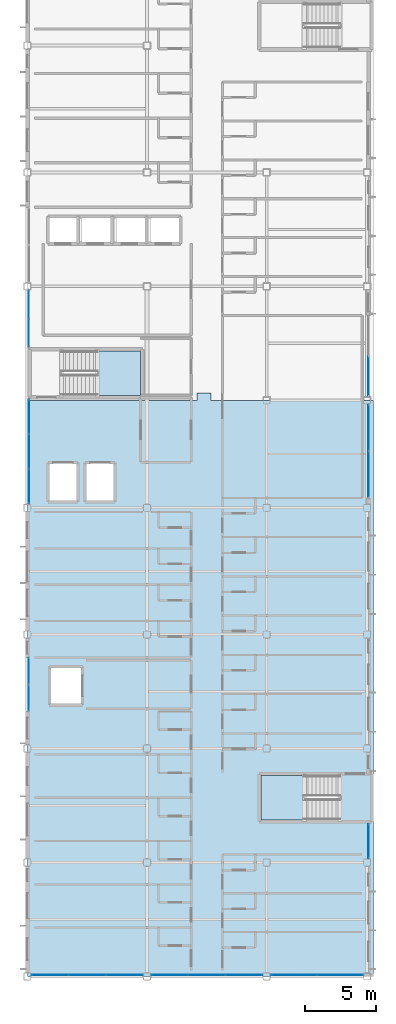
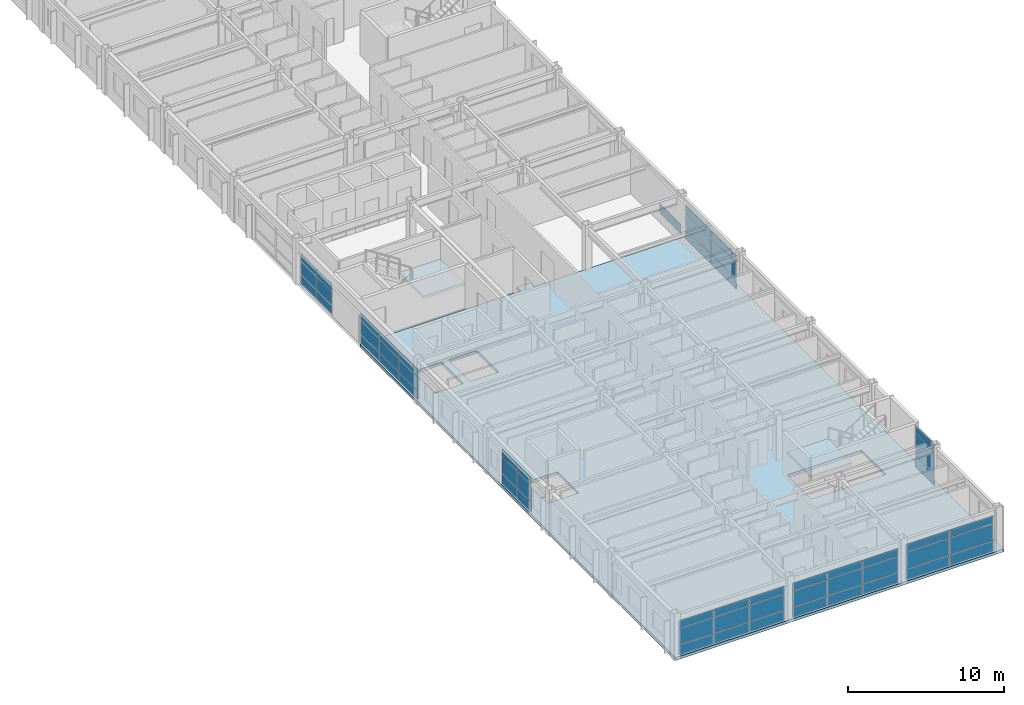
# One storey, part 21 of 35: 55 plates, 3 slabs, 11 elements without a shape of their own.
"""IFC4 building model written with IfcOpenShell, lengths in metres."""

from ifc_helpers import new_model, si_unit, direction, frame, origin, origin_2d, place, context, subcontext, project, spatial, polyline, rectangle, outline, extrude, material, layer, layer_set, type_object, element, aggregate, save


model = new_model("IFC4")

# Units and contexts
model_context = context("Model", 3, precision=1e-05, world=origin(), true_north=direction((0.0, 1.0)))
body_context = subcontext(model_context, "Body", "Model", "MODEL_VIEW")
ifc_project = project(units=[si_unit("LENGTHUNIT", "METRE"), si_unit("AREAUNIT", "SQUARE_METRE"), si_unit("VOLUMEUNIT", "CUBIC_METRE"), si_unit("PLANEANGLEUNIT", "RADIAN"), si_unit("MASSUNIT", "GRAM", prefix="KILO")], contexts=[model_context])

# Site, building, storey
site_placement = place(None, origin())
site = spatial("IfcSite", under=ifc_project, at=site_placement, CompositionType="ELEMENT")
building_placement = place(site_placement, origin())
building = spatial("IfcBuilding", under=site, at=building_placement, Name="Kazehara Bluff Congress Hotel", CompositionType="ELEMENT")
storey_placement = place(building_placement, frame((0.0, 0.0, 35.39990234375)))
storey = spatial("IfcBuildingStorey", under=building, at=storey_placement, Name="L08", CompositionType="ELEMENT", Elevation=35.39990234375)

# Curtain wall, plates
ifc_material_1 = material(Name="Anodised aluminium", Category="aluminium")
ifc_layer_1 = layer(ifc_material_1, 0.159912109375)
ifc_layer_set_1 = layer_set([ifc_layer_1], Name="Anodised aluminium")
curtain_wall_type_1 = type_object("IfcCurtainWallType", Name="TP-CW-185", PredefinedType="NOTDEFINED", material=ifc_layer_set_1)
curtain_wall_1_placement = place(storey_placement, origin())
curtain_wall_1 = element("IfcCurtainWall", 1, at=curtain_wall_1_placement, inside=storey, type_object=curtain_wall_type_1, Name="L08 curtain wall CW-185 CW-ENC-V5-L08-14790-810", PredefinedType="NOTDEFINED")
ifc_material_2 = material(Name="Insulated low-E double glazing", Category="glass")
ifc_layer_2 = layer(ifc_material_2, 0.028076171875)
ifc_layer_set_2 = layer_set([ifc_layer_2], Name="Insulated low-E double glazing")
plate_type_1 = type_object("IfcPlateType", Name="TP-CWP-01", PredefinedType="CURTAIN_PANEL", material=ifc_layer_set_2)
plate_1_placement = place(storey_placement, frame((150.51708984375, 8.10009765625, 0.065185546875), z_axis=(0.0, 0.0, 1.0), x_axis=(-1.0, 0.0, 0.0)))
plate_1 = element("IfcPlate", 2, at=plate_1_placement, type_object=plate_type_1, Name="CW-185 panel 1.1", PredefinedType="CURTAIN_PANEL", context=body_context, shape_type="SweptSolid", body=[
    extrude(rectangle(XDim=2.535888671875, YDim=0.028076171875, at=origin_2d()), origin(), (0.0, 0.0, 1.0), 0.7275390625),
])
plate_2_placement = place(storey_placement, frame((150.51708984375, 8.10009765625, 0.857421875), z_axis=(0.0, 0.0, 1.0), x_axis=(-1.0, 0.0, 0.0)))
plate_2 = element("IfcPlate", 3, at=plate_2_placement, type_object=plate_type_1, Name="CW-185 panel 1.2", PredefinedType="CURTAIN_PANEL", context=body_context, shape_type="SweptSolid", body=[
    extrude(rectangle(XDim=2.535888671875, YDim=0.028076171875, at=origin_2d()), origin(), (0.0, 0.0, 1.0), 1.215087890625),
])
plate_3_placement = place(storey_placement, frame((150.51708984375, 8.10009765625, 2.1376953125), z_axis=(0.0, 0.0, 1.0), x_axis=(-1.0, 0.0, 0.0)))
plate_3 = element("IfcPlate", 4, at=plate_3_placement, type_object=plate_type_1, Name="CW-185 panel 1.3", PredefinedType="CURTAIN_PANEL", context=body_context, shape_type="SweptSolid", body=[
    extrude(rectangle(XDim=2.535888671875, YDim=0.028076171875, at=origin_2d()), origin(), (0.0, 0.0, 1.0), 0.552490234375),
])
plate_4_placement = place(storey_placement, frame((147.89990234375, 8.10009765625, 0.065185546875), z_axis=(0.0, 0.0, 1.0), x_axis=(-1.0, 0.0, 0.0)))
plate_4 = element("IfcPlate", 5, at=plate_4_placement, type_object=plate_type_1, Name="CW-185 panel 2.1", PredefinedType="CURTAIN_PANEL", context=body_context, shape_type="SweptSolid", body=[
    extrude(rectangle(XDim=2.568359375, YDim=0.028076171875, at=origin_2d()), origin(), (0.0, 0.0, 1.0), 0.7275390625),
])
plate_5_placement = place(storey_placement, frame((147.89990234375, 8.10009765625, 0.857421875), z_axis=(0.0, 0.0, 1.0), x_axis=(-1.0, 0.0, 0.0)))
plate_5 = element("IfcPlate", 6, at=plate_5_placement, type_object=plate_type_1, Name="CW-185 panel 2.2", PredefinedType="CURTAIN_PANEL", context=body_context, shape_type="SweptSolid", body=[
    extrude(rectangle(XDim=2.568359375, YDim=0.028076171875, at=origin_2d()), origin(), (0.0, 0.0, 1.0), 1.215087890625),
])
plate_6_placement = place(storey_placement, frame((147.89990234375, 8.10009765625, 2.1376953125), z_axis=(0.0, 0.0, 1.0), x_axis=(-1.0, 0.0, 0.0)))
plate_6 = element("IfcPlate", 7, at=plate_6_placement, type_object=plate_type_1, Name="CW-185 panel 2.3", PredefinedType="CURTAIN_PANEL", context=body_context, shape_type="SweptSolid", body=[
    extrude(rectangle(XDim=2.568359375, YDim=0.028076171875, at=origin_2d()), origin(), (0.0, 0.0, 1.0), 0.552490234375),
])
plate_7_placement = place(storey_placement, frame((145.282958984375, 8.10009765625, 0.065185546875), z_axis=(0.0, 0.0, 1.0), x_axis=(-1.0, 0.0, 0.0)))
plate_7 = element("IfcPlate", 8, at=plate_7_placement, type_object=plate_type_1, Name="CW-185 panel 3.1", PredefinedType="CURTAIN_PANEL", context=body_context, shape_type="SweptSolid", body=[
    extrude(rectangle(XDim=2.535888671875, YDim=0.028076171875, at=origin_2d()), origin(), (0.0, 0.0, 1.0), 0.7275390625),
])
plate_8_placement = place(storey_placement, frame((145.282958984375, 8.10009765625, 0.857421875), z_axis=(0.0, 0.0, 1.0), x_axis=(-1.0, 0.0, 0.0)))
plate_8 = element("IfcPlate", 9, at=plate_8_placement, type_object=plate_type_1, Name="CW-185 panel 3.2", PredefinedType="CURTAIN_PANEL", context=body_context, shape_type="SweptSolid", body=[
    extrude(rectangle(XDim=2.535888671875, YDim=0.028076171875, at=origin_2d()), origin(), (0.0, 0.0, 1.0), 1.215087890625),
])
plate_9_placement = place(storey_placement, frame((145.282958984375, 8.10009765625, 2.1376953125), z_axis=(0.0, 0.0, 1.0), x_axis=(-1.0, 0.0, 0.0)))
plate_9 = element("IfcPlate", 10, at=plate_9_placement, type_object=plate_type_1, Name="CW-185 panel 3.3", PredefinedType="CURTAIN_PANEL", context=body_context, shape_type="SweptSolid", body=[
    extrude(rectangle(XDim=2.535888671875, YDim=0.028076171875, at=origin_2d()), origin(), (0.0, 0.0, 1.0), 0.552490234375),
])
aggregate(curtain_wall_1, [plate_1, plate_2, plate_3, plate_4, plate_5, plate_6, plate_7, plate_8, plate_9])

curtain_wall_2_placement = place(storey_placement, origin())
curtain_wall_2 = element("IfcCurtainWall", 11, at=curtain_wall_2_placement, inside=storey, type_object=curtain_wall_type_1, Name="L08 curtain wall CW-185 CW-ENC-V5-L08-15630-810", PredefinedType="NOTDEFINED")
plate_10_placement = place(storey_placement, frame((158.9169921875, 8.10009765625, 0.065185546875), z_axis=(0.0, 0.0, 1.0), x_axis=(-1.0, 0.0, 0.0)))
plate_10 = element("IfcPlate", 12, at=plate_10_placement, type_object=plate_type_1, Name="CW-185 panel 1.1", PredefinedType="CURTAIN_PANEL", context=body_context, shape_type="SweptSolid", body=[
    extrude(rectangle(XDim=2.535888671875, YDim=0.028076171875, at=origin_2d()), origin(), (0.0, 0.0, 1.0), 0.7275390625),
])
plate_11_placement = place(storey_placement, frame((158.9169921875, 8.10009765625, 0.857421875), z_axis=(0.0, 0.0, 1.0), x_axis=(-1.0, 0.0, 0.0)))
plate_11 = element("IfcPlate", 13, at=plate_11_placement, type_object=plate_type_1, Name="CW-185 panel 1.2", PredefinedType="CURTAIN_PANEL", context=body_context, shape_type="SweptSolid", body=[
    extrude(rectangle(XDim=2.535888671875, YDim=0.028076171875, at=origin_2d()), origin(), (0.0, 0.0, 1.0), 1.215087890625),
])
plate_12_placement = place(storey_placement, frame((158.9169921875, 8.10009765625, 2.1376953125), z_axis=(0.0, 0.0, 1.0), x_axis=(-1.0, 0.0, 0.0)))
plate_12 = element("IfcPlate", 14, at=plate_12_placement, type_object=plate_type_1, Name="CW-185 panel 1.3", PredefinedType="CURTAIN_PANEL", context=body_context, shape_type="SweptSolid", body=[
    extrude(rectangle(XDim=2.535888671875, YDim=0.028076171875, at=origin_2d()), origin(), (0.0, 0.0, 1.0), 0.552490234375),
])
plate_13_placement = place(storey_placement, frame((156.300048828125, 8.10009765625, 0.065185546875), z_axis=(0.0, 0.0, 1.0), x_axis=(-1.0, 0.0, 0.0)))
plate_13 = element("IfcPlate", 15, at=plate_13_placement, type_object=plate_type_1, Name="CW-185 panel 2.1", PredefinedType="CURTAIN_PANEL", context=body_context, shape_type="SweptSolid", body=[
    extrude(rectangle(XDim=2.568359375, YDim=0.028076171875, at=origin_2d()), origin(), (0.0, 0.0, 1.0), 0.7275390625),
])
plate_14_placement = place(storey_placement, frame((156.300048828125, 8.10009765625, 0.857421875), z_axis=(0.0, 0.0, 1.0), x_axis=(-1.0, 0.0, 0.0)))
plate_14 = element("IfcPlate", 16, at=plate_14_placement, type_object=plate_type_1, Name="CW-185 panel 2.2", PredefinedType="CURTAIN_PANEL", context=body_context, shape_type="SweptSolid", body=[
    extrude(rectangle(XDim=2.568359375, YDim=0.028076171875, at=origin_2d()), origin(), (0.0, 0.0, 1.0), 1.215087890625),
])
plate_15_placement = place(storey_placement, frame((156.300048828125, 8.10009765625, 2.1376953125), z_axis=(0.0, 0.0, 1.0), x_axis=(-1.0, 0.0, 0.0)))
plate_15 = element("IfcPlate", 17, at=plate_15_placement, type_object=plate_type_1, Name="CW-185 panel 2.3", PredefinedType="CURTAIN_PANEL", context=body_context, shape_type="SweptSolid", body=[
    extrude(rectangle(XDim=2.568359375, YDim=0.028076171875, at=origin_2d()), origin(), (0.0, 0.0, 1.0), 0.552490234375),
])
plate_16_placement = place(storey_placement, frame((153.682861328125, 8.10009765625, 0.065185546875), z_axis=(0.0, 0.0, 1.0), x_axis=(-1.0, 0.0, 0.0)))
plate_16 = element("IfcPlate", 18, at=plate_16_placement, type_object=plate_type_1, Name="CW-185 panel 3.1", PredefinedType="CURTAIN_PANEL", context=body_context, shape_type="SweptSolid", body=[
    extrude(rectangle(XDim=2.535888671875, YDim=0.028076171875, at=origin_2d()), origin(), (0.0, 0.0, 1.0), 0.7275390625),
])
plate_17_placement = place(storey_placement, frame((153.682861328125, 8.10009765625, 0.857421875), z_axis=(0.0, 0.0, 1.0), x_axis=(-1.0, 0.0, 0.0)))
plate_17 = element("IfcPlate", 19, at=plate_17_placement, type_object=plate_type_1, Name="CW-185 panel 3.2", PredefinedType="CURTAIN_PANEL", context=body_context, shape_type="SweptSolid", body=[
    extrude(rectangle(XDim=2.535888671875, YDim=0.028076171875, at=origin_2d()), origin(), (0.0, 0.0, 1.0), 1.215087890625),
])
plate_18_placement = place(storey_placement, frame((153.682861328125, 8.10009765625, 2.1376953125), z_axis=(0.0, 0.0, 1.0), x_axis=(-1.0, 0.0, 0.0)))
plate_18 = element("IfcPlate", 20, at=plate_18_placement, type_object=plate_type_1, Name="CW-185 panel 3.3", PredefinedType="CURTAIN_PANEL", context=body_context, shape_type="SweptSolid", body=[
    extrude(rectangle(XDim=2.535888671875, YDim=0.028076171875, at=origin_2d()), origin(), (0.0, 0.0, 1.0), 0.552490234375),
])
aggregate(curtain_wall_2, [plate_10, plate_11, plate_12, plate_13, plate_14, plate_15, plate_16, plate_17, plate_18])

ifc_material_3 = material(Name="Anodised aluminium", Category="aluminium")
ifc_layer_3 = layer(ifc_material_3, 0.159912109375)
ifc_layer_set_3 = layer_set([ifc_layer_3], Name="Anodised aluminium")
curtain_wall_type_2 = type_object("IfcCurtainWallType", Name="TP-CW-186", PredefinedType="NOTDEFINED", material=ifc_layer_set_3)
curtain_wall_3_placement = place(storey_placement, origin())
curtain_wall_3 = element("IfcCurtainWall", 21, at=curtain_wall_3_placement, inside=storey, type_object=curtain_wall_type_2, Name="L08 curtain wall CW-186 CW-ENC-V5-L08-16402-810", PredefinedType="NOTDEFINED")
plate_19_placement = place(storey_placement, frame((165.646240234375, 8.10009765625, 0.06494140625), z_axis=(0.0, 0.0, 1.0), x_axis=(-1.0, 0.0, 0.0)))
plate_19 = element("IfcPlate", 22, at=plate_19_placement, type_object=plate_type_1, Name="CW-186 panel 1.1", PredefinedType="CURTAIN_PANEL", context=body_context, shape_type="SweptSolid", body=[
    extrude(rectangle(XDim=3.177490234375, YDim=0.028076171875, at=origin_2d()), origin(), (0.0, 0.0, 1.0), 0.757568359375),
])
plate_20_placement = place(storey_placement, frame((165.646240234375, 8.10009765625, 0.8876953125), z_axis=(0.0, 0.0, 1.0), x_axis=(-1.0, 0.0, 0.0)))
plate_20 = element("IfcPlate", 23, at=plate_20_placement, type_object=plate_type_1, Name="CW-186 panel 1.2", PredefinedType="CURTAIN_PANEL", context=body_context, shape_type="SweptSolid", body=[
    extrude(rectangle(XDim=3.177490234375, YDim=0.028076171875, at=origin_2d()), origin(), (0.0, 0.0, 1.0), 1.284912109375),
])
plate_21_placement = place(storey_placement, frame((165.646240234375, 8.10009765625, 2.23779296875), z_axis=(0.0, 0.0, 1.0), x_axis=(-1.0, 0.0, 0.0)))
plate_21 = element("IfcPlate", 24, at=plate_21_placement, type_object=plate_type_1, Name="CW-186 panel 1.3", PredefinedType="CURTAIN_PANEL", context=body_context, shape_type="SweptSolid", body=[
    extrude(rectangle(XDim=3.177490234375, YDim=0.028076171875, at=origin_2d()), origin(), (0.0, 0.0, 1.0), 0.552490234375),
])
plate_22_placement = place(storey_placement, frame((162.40380859375, 8.10009765625, 0.06494140625), z_axis=(0.0, 0.0, 1.0), x_axis=(-1.0, 0.0, 0.0)))
plate_22 = element("IfcPlate", 25, at=plate_22_placement, type_object=plate_type_1, Name="CW-186 panel 2.1", PredefinedType="CURTAIN_PANEL", context=body_context, shape_type="SweptSolid", body=[
    extrude(rectangle(XDim=3.177490234375, YDim=0.028076171875, at=origin_2d()), origin(), (0.0, 0.0, 1.0), 0.757568359375),
])
plate_23_placement = place(storey_placement, frame((162.40380859375, 8.10009765625, 0.8876953125), z_axis=(0.0, 0.0, 1.0), x_axis=(-1.0, 0.0, 0.0)))
plate_23 = element("IfcPlate", 26, at=plate_23_placement, type_object=plate_type_1, Name="CW-186 panel 2.2", PredefinedType="CURTAIN_PANEL", context=body_context, shape_type="SweptSolid", body=[
    extrude(rectangle(XDim=3.177490234375, YDim=0.028076171875, at=origin_2d()), origin(), (0.0, 0.0, 1.0), 1.284912109375),
])
plate_24_placement = place(storey_placement, frame((162.40380859375, 8.10009765625, 2.23779296875), z_axis=(0.0, 0.0, 1.0), x_axis=(-1.0, 0.0, 0.0)))
plate_24 = element("IfcPlate", 27, at=plate_24_placement, type_object=plate_type_1, Name="CW-186 panel 2.3", PredefinedType="CURTAIN_PANEL", context=body_context, shape_type="SweptSolid", body=[
    extrude(rectangle(XDim=3.177490234375, YDim=0.028076171875, at=origin_2d()), origin(), (0.0, 0.0, 1.0), 0.552490234375),
])
aggregate(curtain_wall_3, [plate_19, plate_20, plate_21, plate_22, plate_23, plate_24])

ifc_material_4 = material(Name="Anodised aluminium", Category="aluminium")
ifc_layer_4 = layer(ifc_material_4, 0.159912109375)
ifc_layer_set_4 = layer_set([ifc_layer_4], Name="Anodised aluminium")
curtain_wall_type_3 = type_object("IfcCurtainWallType", Name="TP-CW-188", PredefinedType="NOTDEFINED", material=ifc_layer_set_4)
curtain_wall_4_placement = place(storey_placement, origin())
curtain_wall_4 = element("IfcCurtainWall", 28, at=curtain_wall_4_placement, inside=storey, type_object=curtain_wall_type_3, Name="L08 curtain wall CW-188 CW-ENC-V5-L08-16765-4490", PredefinedType="NOTDEFINED")
plate_25_placement = place(storey_placement, frame((167.64990234375, 46.53369140625, 0.065185546875), z_axis=(0.0, 0.0, 1.0), x_axis=(0.0, -1.0, 0.0)))
plate_25 = element("IfcPlate", 29, at=plate_25_placement, type_object=plate_type_1, Name="CW-188 panel 1.1", PredefinedType="CURTAIN_PANEL", context=body_context, shape_type="SweptSolid", body=[
    extrude(rectangle(XDim=3.202392578125, YDim=0.028076171875, at=origin_2d()), origin(), (0.0, 0.0, 1.0), 0.7275390625),
])
plate_26_placement = place(storey_placement, frame((167.64990234375, 46.53369140625, 0.857421875), z_axis=(0.0, 0.0, 1.0), x_axis=(0.0, -1.0, 0.0)))
plate_26 = element("IfcPlate", 30, at=plate_26_placement, type_object=plate_type_1, Name="CW-188 panel 1.2", PredefinedType="CURTAIN_PANEL", context=body_context, shape_type="SweptSolid", body=[
    extrude(rectangle(XDim=3.202392578125, YDim=0.028076171875, at=origin_2d()), origin(), (0.0, 0.0, 1.0), 1.215087890625),
])
plate_27_placement = place(storey_placement, frame((167.64990234375, 46.53369140625, 2.1376953125), z_axis=(0.0, 0.0, 1.0), x_axis=(0.0, -1.0, 0.0)))
plate_27 = element("IfcPlate", 31, at=plate_27_placement, type_object=plate_type_1, Name="CW-188 panel 1.3", PredefinedType="CURTAIN_PANEL", context=body_context, shape_type="SweptSolid", body=[
    extrude(rectangle(XDim=3.202392578125, YDim=0.028076171875, at=origin_2d()), origin(), (0.0, 0.0, 1.0), 0.552490234375),
])
plate_28_placement = place(storey_placement, frame((167.64990234375, 43.266357421875, 0.065185546875), z_axis=(0.0, 0.0, 1.0), x_axis=(0.0, -1.0, 0.0)))
plate_28 = element("IfcPlate", 32, at=plate_28_placement, type_object=plate_type_1, Name="CW-188 panel 2.1", PredefinedType="CURTAIN_PANEL", context=body_context, shape_type="SweptSolid", body=[
    extrude(rectangle(XDim=3.202392578125, YDim=0.028076171875, at=origin_2d()), origin(), (0.0, 0.0, 1.0), 0.7275390625),
])
plate_29_placement = place(storey_placement, frame((167.64990234375, 43.266357421875, 0.857421875), z_axis=(0.0, 0.0, 1.0), x_axis=(0.0, -1.0, 0.0)))
plate_29 = element("IfcPlate", 33, at=plate_29_placement, type_object=plate_type_1, Name="CW-188 panel 2.2", PredefinedType="CURTAIN_PANEL", context=body_context, shape_type="SweptSolid", body=[
    extrude(rectangle(XDim=3.202392578125, YDim=0.028076171875, at=origin_2d()), origin(), (0.0, 0.0, 1.0), 1.215087890625),
])
plate_30_placement = place(storey_placement, frame((167.64990234375, 43.266357421875, 2.1376953125), z_axis=(0.0, 0.0, 1.0), x_axis=(0.0, -1.0, 0.0)))
plate_30 = element("IfcPlate", 34, at=plate_30_placement, type_object=plate_type_1, Name="CW-188 panel 2.3", PredefinedType="CURTAIN_PANEL", context=body_context, shape_type="SweptSolid", body=[
    extrude(rectangle(XDim=3.202392578125, YDim=0.028076171875, at=origin_2d()), origin(), (0.0, 0.0, 1.0), 0.552490234375),
])
aggregate(curtain_wall_4, [plate_25, plate_26, plate_27, plate_28, plate_29, plate_30])

# Curtain wall, plate
ifc_material_5 = material(Name="Anodised aluminium", Category="aluminium")
ifc_layer_5 = layer(ifc_material_5, 0.159912109375)
ifc_layer_set_5 = layer_set([ifc_layer_5], Name="Anodised aluminium")
curtain_wall_type_4 = type_object("IfcCurtainWallType", Name="TP-CW-189", PredefinedType="NOTDEFINED", material=ifc_layer_set_5)
curtain_wall_5_placement = place(storey_placement, origin())
curtain_wall_5 = element("IfcCurtainWall", 35, at=curtain_wall_5_placement, inside=storey, type_object=curtain_wall_type_4, Name="L08 curtain wall CW-189 CW-ENC-V5-L08-16765-5155", PredefinedType="NOTDEFINED")
plate_31_placement = place(storey_placement, frame((167.64990234375, 50.139892578125, 0.06005859375), z_axis=(0.0, 0.0, 1.0), x_axis=(0.0, -1.0, 0.0)))
plate_31 = element("IfcPlate", 36, at=plate_31_placement, type_object=plate_type_1, Name="CW-189 panel 2.1", PredefinedType="CURTAIN_PANEL", context=body_context, shape_type="SweptSolid", body=[
    extrude(rectangle(XDim=2.760009765625, YDim=0.028076171875, at=origin_2d()), origin(), (0.0, 0.0, 1.0), 0.735107421875),
])
aggregate(curtain_wall_5, [plate_31])

# Curtain wall, plates
ifc_material_6 = material(Name="Anodised aluminium", Category="aluminium")
ifc_layer_6 = layer(ifc_material_6, 0.159912109375)
ifc_layer_set_6 = layer_set([ifc_layer_6], Name="Anodised aluminium")
curtain_wall_type_5 = type_object("IfcCurtainWallType", Name="TP-CW-190", PredefinedType="NOTDEFINED", material=ifc_layer_set_6)
curtain_wall_6_placement = place(storey_placement, origin())
curtain_wall_6 = element("IfcCurtainWall", 37, at=curtain_wall_6_placement, inside=storey, type_object=curtain_wall_type_5, Name="L08 curtain wall CW-190 CW-ENC-V5-L08-14380-4484", PredefinedType="NOTDEFINED")
plate_32_placement = place(storey_placement, frame((143.800048828125, 42.39794921875, 0.06494140625), z_axis=(0.0, 0.0, 1.0), x_axis=(0.0, 1.0, 0.0)))
plate_32 = element("IfcPlate", 38, at=plate_32_placement, type_object=plate_type_1, Name="CW-190 panel 1.1", PredefinedType="CURTAIN_PANEL", context=body_context, shape_type="SweptSolid", body=[
    extrude(rectangle(XDim=2.36572265625, YDim=0.028076171875, at=origin_2d()), origin(), (0.0, 0.0, 1.0), 0.637451171875),
])
plate_33_placement = place(storey_placement, frame((143.800048828125, 42.39794921875, 0.767578125), z_axis=(0.0, 0.0, 1.0), x_axis=(0.0, 1.0, 0.0)))
plate_33 = element("IfcPlate", 39, at=plate_33_placement, type_object=plate_type_1, Name="CW-190 panel 1.2", PredefinedType="CURTAIN_PANEL", context=body_context, shape_type="SweptSolid", body=[
    extrude(rectangle(XDim=2.36572265625, YDim=0.028076171875, at=origin_2d()), origin(), (0.0, 0.0, 1.0), 1.0048828125),
])
plate_34_placement = place(storey_placement, frame((143.800048828125, 42.39794921875, 1.83740234375), z_axis=(0.0, 0.0, 1.0), x_axis=(0.0, 1.0, 0.0)))
plate_34 = element("IfcPlate", 40, at=plate_34_placement, type_object=plate_type_1, Name="CW-190 panel 1.3", PredefinedType="CURTAIN_PANEL", context=body_context, shape_type="SweptSolid", body=[
    extrude(rectangle(XDim=2.36572265625, YDim=0.028076171875, at=origin_2d()), origin(), (0.0, 0.0, 1.0), 0.552490234375),
])
plate_35_placement = place(storey_placement, frame((143.800048828125, 44.844970703125, 0.06494140625), z_axis=(0.0, 0.0, 1.0), x_axis=(0.0, 1.0, 0.0)))
plate_35 = element("IfcPlate", 41, at=plate_35_placement, type_object=plate_type_1, Name="CW-190 panel 2.1", PredefinedType="CURTAIN_PANEL", context=body_context, shape_type="SweptSolid", body=[
    extrude(rectangle(XDim=2.3984375, YDim=0.028076171875, at=origin_2d()), origin(), (0.0, 0.0, 1.0), 0.637451171875),
])
plate_36_placement = place(storey_placement, frame((143.800048828125, 44.844970703125, 0.767578125), z_axis=(0.0, 0.0, 1.0), x_axis=(0.0, 1.0, 0.0)))
plate_36 = element("IfcPlate", 42, at=plate_36_placement, type_object=plate_type_1, Name="CW-190 panel 2.2", PredefinedType="CURTAIN_PANEL", context=body_context, shape_type="SweptSolid", body=[
    extrude(rectangle(XDim=2.3984375, YDim=0.028076171875, at=origin_2d()), origin(), (0.0, 0.0, 1.0), 1.0048828125),
])
plate_37_placement = place(storey_placement, frame((143.800048828125, 44.844970703125, 1.83740234375), z_axis=(0.0, 0.0, 1.0), x_axis=(0.0, 1.0, 0.0)))
plate_37 = element("IfcPlate", 43, at=plate_37_placement, type_object=plate_type_1, Name="CW-190 panel 2.3", PredefinedType="CURTAIN_PANEL", context=body_context, shape_type="SweptSolid", body=[
    extrude(rectangle(XDim=2.3984375, YDim=0.028076171875, at=origin_2d()), origin(), (0.0, 0.0, 1.0), 0.552490234375),
])
plate_38_placement = place(storey_placement, frame((143.800048828125, 47.2919921875, 0.06494140625), z_axis=(0.0, 0.0, 1.0), x_axis=(0.0, 1.0, 0.0)))
plate_38 = element("IfcPlate", 44, at=plate_38_placement, type_object=plate_type_1, Name="CW-190 panel 3.1", PredefinedType="CURTAIN_PANEL", context=body_context, shape_type="SweptSolid", body=[
    extrude(rectangle(XDim=2.36572265625, YDim=0.028076171875, at=origin_2d()), origin(), (0.0, 0.0, 1.0), 0.637451171875),
])
plate_39_placement = place(storey_placement, frame((143.800048828125, 47.2919921875, 0.767578125), z_axis=(0.0, 0.0, 1.0), x_axis=(0.0, 1.0, 0.0)))
plate_39 = element("IfcPlate", 45, at=plate_39_placement, type_object=plate_type_1, Name="CW-190 panel 3.2", PredefinedType="CURTAIN_PANEL", context=body_context, shape_type="SweptSolid", body=[
    extrude(rectangle(XDim=2.36572265625, YDim=0.028076171875, at=origin_2d()), origin(), (0.0, 0.0, 1.0), 1.0048828125),
])
plate_40_placement = place(storey_placement, frame((143.800048828125, 47.2919921875, 1.83740234375), z_axis=(0.0, 0.0, 1.0), x_axis=(0.0, 1.0, 0.0)))
plate_40 = element("IfcPlate", 46, at=plate_40_placement, type_object=plate_type_1, Name="CW-190 panel 3.3", PredefinedType="CURTAIN_PANEL", context=body_context, shape_type="SweptSolid", body=[
    extrude(rectangle(XDim=2.36572265625, YDim=0.028076171875, at=origin_2d()), origin(), (0.0, 0.0, 1.0), 0.552490234375),
])
aggregate(curtain_wall_6, [plate_32, plate_33, plate_34, plate_35, plate_36, plate_37, plate_38, plate_39, plate_40])

ifc_material_7 = material(Name="Anodised aluminium", Category="aluminium")
ifc_layer_7 = layer(ifc_material_7, 0.159912109375)
ifc_layer_set_7 = layer_set([ifc_layer_7], Name="Anodised aluminium")
curtain_wall_type_6 = type_object("IfcCurtainWallType", Name="TP-CW-187", PredefinedType="NOTDEFINED", material=ifc_layer_set_7)
curtain_wall_7_placement = place(storey_placement, origin())
curtain_wall_7 = element("IfcCurtainWall", 47, at=curtain_wall_7_placement, inside=storey, type_object=curtain_wall_type_6, Name="L08 curtain wall CW-187 CW-ENC-V5-L08-16765-1749", PredefinedType="NOTDEFINED")
ifc_material_8 = material(Name="Insulated low-E double glazing", Category="glass")
ifc_layer_8 = layer(ifc_material_8, 0.02001953125)
ifc_layer_set_8 = layer_set([ifc_layer_8], Name="Insulated low-E double glazing")
plate_type_2 = type_object("IfcPlateType", Name="TP-CWP-03", PredefinedType="CURTAIN_PANEL", material=ifc_layer_set_8)
plate_41_placement = place(storey_placement, frame((167.64990234375, 17.4951171875, 0.06005859375), z_axis=(0.0, 0.0, 1.0), x_axis=(0.0, -1.0, 0.0)))
plate_41 = element("IfcPlate", 48, at=plate_41_placement, type_object=plate_type_2, Name="CW-187 panel 1.1", PredefinedType="CURTAIN_PANEL", context=body_context, shape_type="SweptSolid", body=[
    extrude(rectangle(XDim=2.3701171875, YDim=0.02001953125, at=origin_2d()), origin(), (0.0, 0.0, 1.0), 0.919921875),
])
plate_42_placement = place(storey_placement, frame((167.64990234375, 17.4951171875, 1.0400390625), z_axis=(0.0, 0.0, 1.0), x_axis=(0.0, -1.0, 0.0)))
plate_42 = element("IfcPlate", 49, at=plate_42_placement, type_object=plate_type_2, Name="CW-187 panel 1.2", PredefinedType="CURTAIN_PANEL", context=body_context, shape_type="SweptSolid", body=[
    extrude(rectangle(XDim=2.3701171875, YDim=0.02001953125, at=origin_2d()), origin(), (0.0, 0.0, 1.0), 1.64501953125),
])
plate_43_placement = place(storey_placement, frame((167.64990234375, 17.4951171875, 2.7451171875), z_axis=(0.0, 0.0, 1.0), x_axis=(0.0, -1.0, 0.0)))
plate_43 = element("IfcPlate", 50, at=plate_43_placement, type_object=plate_type_2, Name="CW-187 panel 1.3", PredefinedType="CURTAIN_PANEL", context=body_context, shape_type="SweptSolid", body=[
    extrude(rectangle(XDim=2.3701171875, YDim=0.02001953125, at=origin_2d()), origin(), (0.0, 0.0, 1.0), 0.56005859375),
])
aggregate(curtain_wall_7, [plate_41, plate_42, plate_43])

ifc_material_9 = material(Name="Anodised aluminium", Category="aluminium")
ifc_layer_9 = layer(ifc_material_9, 0.159912109375)
ifc_layer_set_9 = layer_set([ifc_layer_9], Name="Anodised aluminium")
curtain_wall_type_7 = type_object("IfcCurtainWallType", Name="TP-CW-176", PredefinedType="NOTDEFINED", material=ifc_layer_set_9)
curtain_wall_8_placement = place(storey_placement, origin())
curtain_wall_8 = element("IfcCurtainWall", 51, at=curtain_wall_8_placement, inside=storey, type_object=curtain_wall_type_7, Name="L08 curtain wall CW-176 CW-ENC-V5-L08-14380-2850", PredefinedType="NOTDEFINED")
plate_44_placement = place(storey_placement, frame((143.800048828125, 27.56494140625, 0.06005859375), z_axis=(0.0, 0.0, 1.0), x_axis=(0.0, 1.0, 0.0)))
plate_44 = element("IfcPlate", 52, at=plate_44_placement, type_object=plate_type_2, Name="CW-176 panel 1.1", PredefinedType="CURTAIN_PANEL", context=body_context, shape_type="SweptSolid", body=[
    extrude(rectangle(XDim=1.81005859375, YDim=0.02001953125, at=origin_2d()), origin(), (0.0, 0.0, 1.0), 0.75),
])
plate_45_placement = place(storey_placement, frame((143.800048828125, 27.56494140625, 0.8701171875), z_axis=(0.0, 0.0, 1.0), x_axis=(0.0, 1.0, 0.0)))
plate_45 = element("IfcPlate", 53, at=plate_45_placement, type_object=plate_type_2, Name="CW-176 panel 1.2", PredefinedType="CURTAIN_PANEL", context=body_context, shape_type="SweptSolid", body=[
    extrude(rectangle(XDim=1.81005859375, YDim=0.02001953125, at=origin_2d()), origin(), (0.0, 0.0, 1.0), 1.2548828125),
])
plate_46_placement = place(storey_placement, frame((143.800048828125, 27.56494140625, 2.18505859375), z_axis=(0.0, 0.0, 1.0), x_axis=(0.0, 1.0, 0.0)))
plate_46 = element("IfcPlate", 54, at=plate_46_placement, type_object=plate_type_2, Name="CW-176 panel 1.3", PredefinedType="CURTAIN_PANEL", context=body_context, shape_type="SweptSolid", body=[
    extrude(rectangle(XDim=1.81005859375, YDim=0.02001953125, at=origin_2d()), origin(), (0.0, 0.0, 1.0), 0.56005859375),
])
plate_47_placement = place(storey_placement, frame((143.800048828125, 29.43505859375, 0.06005859375), z_axis=(0.0, 0.0, 1.0), x_axis=(0.0, 1.0, 0.0)))
plate_47 = element("IfcPlate", 55, at=plate_47_placement, type_object=plate_type_2, Name="CW-176 panel 2.1", PredefinedType="CURTAIN_PANEL", context=body_context, shape_type="SweptSolid", body=[
    extrude(rectangle(XDim=1.81005859375, YDim=0.02001953125, at=origin_2d()), origin(), (0.0, 0.0, 1.0), 0.75),
])
plate_48_placement = place(storey_placement, frame((143.800048828125, 29.43505859375, 0.8701171875), z_axis=(0.0, 0.0, 1.0), x_axis=(0.0, 1.0, 0.0)))
plate_48 = element("IfcPlate", 56, at=plate_48_placement, type_object=plate_type_2, Name="CW-176 panel 2.2", PredefinedType="CURTAIN_PANEL", context=body_context, shape_type="SweptSolid", body=[
    extrude(rectangle(XDim=1.81005859375, YDim=0.02001953125, at=origin_2d()), origin(), (0.0, 0.0, 1.0), 1.2548828125),
])
plate_49_placement = place(storey_placement, frame((143.800048828125, 29.43505859375, 2.18505859375), z_axis=(0.0, 0.0, 1.0), x_axis=(0.0, 1.0, 0.0)))
plate_49 = element("IfcPlate", 57, at=plate_49_placement, type_object=plate_type_2, Name="CW-176 panel 2.3", PredefinedType="CURTAIN_PANEL", context=body_context, shape_type="SweptSolid", body=[
    extrude(rectangle(XDim=1.81005859375, YDim=0.02001953125, at=origin_2d()), origin(), (0.0, 0.0, 1.0), 0.56005859375),
])
aggregate(curtain_wall_8, [plate_44, plate_45, plate_46, plate_47, plate_48, plate_49])

ifc_material_10 = material(Name="Anodised aluminium", Category="aluminium")
ifc_layer_10 = layer(ifc_material_10, 0.159912109375)
ifc_layer_set_10 = layer_set([ifc_layer_10], Name="Anodised aluminium")
curtain_wall_type_8 = type_object("IfcCurtainWallType", Name="TP-CW-191", PredefinedType="NOTDEFINED", material=ifc_layer_set_10)
curtain_wall_9_placement = place(storey_placement, origin())
curtain_wall_9 = element("IfcCurtainWall", 58, at=curtain_wall_9_placement, inside=storey, type_object=curtain_wall_type_8, Name="L08 curtain wall CW-191 CW-ENC-V5-L08-14380-5418", PredefinedType="NOTDEFINED")
plate_50_placement = place(storey_placement, frame((143.800048828125, 53.18505859375, 0.06005859375), z_axis=(0.0, 0.0, 1.0), x_axis=(0.0, 1.0, 0.0)))
plate_50 = element("IfcPlate", 59, at=plate_50_placement, type_object=plate_type_2, Name="CW-191 panel 1.1", PredefinedType="CURTAIN_PANEL", context=body_context, shape_type="SweptSolid", body=[
    extrude(rectangle(XDim=1.929931640625, YDim=0.02001953125, at=origin_2d()), origin(), (0.0, 0.0, 1.0), 0.64501953125),
])
plate_51_placement = place(storey_placement, frame((143.800048828125, 53.18505859375, 0.76513671875), z_axis=(0.0, 0.0, 1.0), x_axis=(0.0, 1.0, 0.0)))
plate_51 = element("IfcPlate", 60, at=plate_51_placement, type_object=plate_type_2, Name="CW-191 panel 1.2", PredefinedType="CURTAIN_PANEL", context=body_context, shape_type="SweptSolid", body=[
    extrude(rectangle(XDim=1.929931640625, YDim=0.02001953125, at=origin_2d()), origin(), (0.0, 0.0, 1.0), 1.010009765625),
])
plate_52_placement = place(storey_placement, frame((143.800048828125, 53.18505859375, 1.8349609375), z_axis=(0.0, 0.0, 1.0), x_axis=(0.0, 1.0, 0.0)))
plate_52 = element("IfcPlate", 61, at=plate_52_placement, type_object=plate_type_2, Name="CW-191 panel 1.3", PredefinedType="CURTAIN_PANEL", context=body_context, shape_type="SweptSolid", body=[
    extrude(rectangle(XDim=1.929931640625, YDim=0.02001953125, at=origin_2d()), origin(), (0.0, 0.0, 1.0), 0.56005859375),
])
plate_53_placement = place(storey_placement, frame((143.800048828125, 55.175048828125, 0.06005859375), z_axis=(0.0, 0.0, 1.0), x_axis=(0.0, 1.0, 0.0)))
plate_53 = element("IfcPlate", 62, at=plate_53_placement, type_object=plate_type_2, Name="CW-191 panel 2.1", PredefinedType="CURTAIN_PANEL", context=body_context, shape_type="SweptSolid", body=[
    extrude(rectangle(XDim=1.929931640625, YDim=0.02001953125, at=origin_2d()), origin(), (0.0, 0.0, 1.0), 0.64501953125),
])
plate_54_placement = place(storey_placement, frame((143.800048828125, 55.175048828125, 0.76513671875), z_axis=(0.0, 0.0, 1.0), x_axis=(0.0, 1.0, 0.0)))
plate_54 = element("IfcPlate", 63, at=plate_54_placement, type_object=plate_type_2, Name="CW-191 panel 2.2", PredefinedType="CURTAIN_PANEL", context=body_context, shape_type="SweptSolid", body=[
    extrude(rectangle(XDim=1.929931640625, YDim=0.02001953125, at=origin_2d()), origin(), (0.0, 0.0, 1.0), 1.010009765625),
])
plate_55_placement = place(storey_placement, frame((143.800048828125, 55.175048828125, 1.8349609375), z_axis=(0.0, 0.0, 1.0), x_axis=(0.0, 1.0, 0.0)))
plate_55 = element("IfcPlate", 64, at=plate_55_placement, type_object=plate_type_2, Name="CW-191 panel 2.3", PredefinedType="CURTAIN_PANEL", context=body_context, shape_type="SweptSolid", body=[
    extrude(rectangle(XDim=1.929931640625, YDim=0.02001953125, at=origin_2d()), origin(), (0.0, 0.0, 1.0), 0.56005859375),
])
aggregate(curtain_wall_9, [plate_50, plate_51, plate_52, plate_53, plate_54, plate_55])

# Slab
ifc_material_11 = material(Name="Concrete C36/45", Category="concrete")
ifc_layer_11 = layer(ifc_material_11, 0.219970703125)
ifc_layer_set_11 = layer_set([ifc_layer_11], Name="Concrete C36/45")
slab_type_1 = type_object("IfcSlabType", Name="TP-SL-220", PredefinedType="FLOOR", material=ifc_layer_set_11)
slab_1_placement = place(storey_placement, frame((0.0, 0.0, -0.219970703125)))
element("IfcSlab", 65, at=slab_1_placement, inside=storey, type_object=slab_type_1, Name="L08 V5 composite floor slab S", PredefinedType="FLOOR", context=body_context, shape_type="SweptSolid", body=[
    extrude(outline(polyline([(143.699951171875, 8.0), (143.699951171875, 48.449951171875), (155.60009765625, 48.449951171875), (155.60009765625, 48.949951171875), (156.60009765625, 48.949951171875), (156.60009765625, 48.449951171875), (168.0, 48.449951171875), (168.0, 8.0), (143.699951171875, 8.0)]), holes=[polyline([(165.625, 22.10009765625), (160.10009765625, 22.10009765625), (160.10009765625, 19.0), (165.625, 19.0), (165.625, 22.10009765625)]), polyline([(145.14990234375, 41.324951171875), (147.25, 41.324951171875), (147.25, 44.074951171875), (145.14990234375, 44.074951171875), (145.14990234375, 41.324951171875)]), polyline([(147.75, 41.324951171875), (149.85009765625, 41.324951171875), (149.85009765625, 44.074951171875), (147.75, 44.074951171875), (147.75, 41.324951171875)]), polyline([(145.25, 27.050048828125), (147.550048828125, 27.050048828125), (147.550048828125, 29.75), (145.25, 29.75), (145.25, 27.050048828125)])]), origin(), (0.0, 0.0, 1.0), 0.219970703125),
])

# Stair, slab
ifc_material_12 = material(Name="Concrete C36/45", Category="concrete")
stair_type = type_object("IfcStairType", Name="TP-ST-T03", PredefinedType="HALF_TURN_STAIR", material=ifc_material_12)
stair_1_placement = place(storey_placement, origin())
stair_1 = element("IfcStair", 66, at=stair_1_placement, inside=storey, type_object=stair_type, Name="L08 Escape stair ST-10", PredefinedType="HALF_TURN_STAIR")
ifc_material_13 = material(Name="Concrete C36/45", Category="concrete")
ifc_layer_12 = layer(ifc_material_13, 0.199951171875)
ifc_layer_set_12 = layer_set([ifc_layer_12], Name="Concrete C36/45")
slab_type_2 = type_object("IfcSlabType", Name="TP-SLD-200", PredefinedType="LANDING", material=ifc_layer_set_12)
slab_2_placement = place(storey_placement, frame((0.0, 0.0, 1.60009765625)))
slab_2 = element("IfcSlab", 67, at=slab_2_placement, type_object=slab_type_2, Name="ST-10 landing 1", PredefinedType="LANDING", context=body_context, shape_type="SweptSolid", body=[
    extrude(outline(polyline([(163.1298828125, 22.10009765625), (160.10009765625, 22.10009765625), (160.10009765625, 19.0), (163.1298828125, 19.0), (163.1298828125, 22.10009765625)])), origin(), (0.0, 0.0, 1.0), 0.199951171875),
])
aggregate(stair_1, [slab_2])

stair_2_placement = place(storey_placement, origin())
stair_2 = element("IfcStair", 68, at=stair_2_placement, inside=storey, type_object=stair_type, Name="L08 Escape stair ST-11", PredefinedType="HALF_TURN_STAIR")
slab_3_placement = place(storey_placement, frame((0.0, 0.0, 1.60009765625)))
slab_3 = element("IfcSlab", 69, at=slab_3_placement, type_object=slab_type_2, Name="ST-11 landing 1", PredefinedType="LANDING", context=body_context, shape_type="SweptSolid", body=[
    extrude(outline(polyline([(148.6201171875, 48.800048828125), (151.64990234375, 48.800048828125), (151.64990234375, 51.89990234375), (148.6201171875, 51.89990234375), (148.6201171875, 48.800048828125)])), origin(), (0.0, 0.0, 1.0), 0.199951171875),
])
aggregate(stair_2, [slab_3])

save(model, "model.ifc")
